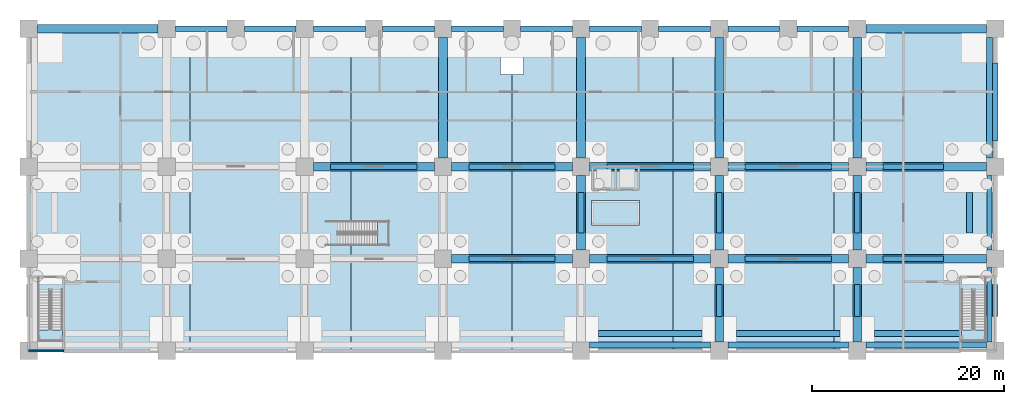
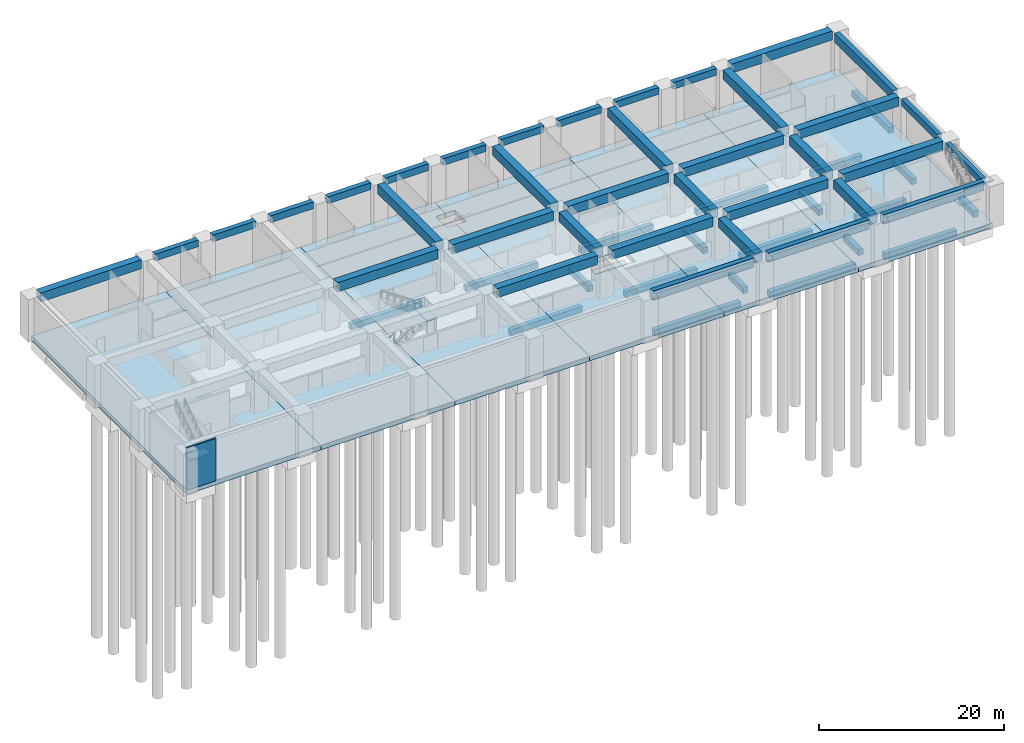
# One storey, part 2 of 13: 56 beams, 10 slabs, 1 wall, 3 elements without a shape of their own.
"""IFC4 building model written with IfcOpenShell, lengths in metres."""

import ifcopenshell
import ifcopenshell.guid

model = None  # the IFC model being written
_history = None  # IfcOwnerHistory: only IFC2X3 demands one
_inside = {}  # id of a spatial element -> (the spatial element, [elements in it])
_under = {}  # id of a project, library or spatial element -> (it, [spatial elements below it])
_declared = {}  # id of a project -> (the project, [libraries it declares])
_typed = {}  # id of a type object -> (the type object, [elements of that type])
_made_of = {}  # id of a material, layer set ... -> (it, [elements and type objects made of it])


def new_model(schema):
    """Start an empty IFC model of exactly this schema.

    Asked for "IFC4X3", IfcOpenShell would pick the latest addendum, in which some entities
    have other attributes; the version numbers below select the first issue.
    IFC2X3 requires an IfcOwnerHistory on every rooted entity: one is made here for all.
    """
    global model, _history
    if schema == "IFC4X3":
        model = ifcopenshell.file(schema_version=(4, 3, 0, 0))
    else:
        model = ifcopenshell.file(schema=schema)
    _inside.clear()
    _under.clear()
    _declared.clear()
    _typed.clear()
    _made_of.clear()
    _history = None
    if model.schema == "IFC2X3":
        org = make("IfcOrganization", Name="unknown")
        user = make(
            "IfcPersonAndOrganization",
            ThePerson=make("IfcPerson", FamilyName="unknown"),
            TheOrganization=org,
        )
        app = make(
            "IfcApplication",
            ApplicationDeveloper=org,
            Version="unknown",
            ApplicationFullName="unknown",
            ApplicationIdentifier="unknown",
        )
        _history = make(
            "IfcOwnerHistory",
            OwningUser=user,
            OwningApplication=app,
            ChangeAction="ADDED",
            CreationDate=0,
        )
    return model


def make(cls, **values):
    """One entity of the class cls with the attributes given. An attribute that is None is left unset."""
    return model.create_entity(
        cls, **{name: value for name, value in values.items() if value is not None}
    )


def rooted(cls, **values):
    """An entity with a GlobalId (a new one), such as an element, a storey or a relation."""
    return make(cls, GlobalId=ifcopenshell.guid.new(), OwnerHistory=_history, **values)


def si_unit(unit_type, name, prefix=None):
    """IfcSIUnit, for example si_unit("LENGTHUNIT", "METRE", prefix="MILLI")."""
    return make("IfcSIUnit", UnitType=unit_type, Prefix=prefix, Name=name)


def assignment(units):
    """IfcUnitAssignment: the units of a project."""
    return None if units is None else make("IfcUnitAssignment", Units=units)


def point(xyz):
    """IfcCartesianPoint."""
    return None if xyz is None else make("IfcCartesianPoint", Coordinates=xyz)


def direction(xyz):
    """IfcDirection."""
    return None if xyz is None else make("IfcDirection", DirectionRatios=xyz)


def frame(location, z_axis=None, x_axis=None):
    """IfcAxis2Placement3D, a coordinate frame: its origin and axes. An axis left out is left unset."""
    return make(
        "IfcAxis2Placement3D",
        Location=point(location),
        Axis=direction(z_axis),
        RefDirection=direction(x_axis),
    )


def frame_2d(location, x_axis=None):
    """IfcAxis2Placement2D, a coordinate frame in the plane: its origin and x axis."""
    return make(
        "IfcAxis2Placement2D", Location=point(location), RefDirection=direction(x_axis)
    )


def origin():
    """The frame at (0, 0, 0) with its axes left unset."""
    return frame((0.0, 0.0, 0.0))


def origin_with_axes():
    """The frame at (0, 0, 0) with the z axis (0, 0, 1) and the x axis (1, 0, 0) written out."""
    return frame((0.0, 0.0, 0.0), z_axis=(0.0, 0.0, 1.0), x_axis=(1.0, 0.0, 0.0))


def origin_2d():
    """The frame at (0, 0) in the plane with its x axis left unset."""
    return frame_2d((0.0, 0.0))


def place(relative_to, where):
    """IfcLocalPlacement: puts the frame where relative to a parent placement (None: the world)."""
    return make(
        "IfcLocalPlacement", PlacementRelTo=relative_to, RelativePlacement=where
    )


def context(
    kind, dimensions, precision=None, world=None, true_north=None, identifier=None
):
    """IfcGeometricRepresentationContext, for example the 3D "Model" context."""
    return make(
        "IfcGeometricRepresentationContext",
        ContextIdentifier=identifier,
        ContextType=kind,
        CoordinateSpaceDimension=dimensions,
        Precision=precision,
        WorldCoordinateSystem=world,
        TrueNorth=true_north,
    )


def subcontext(parent, identifier, kind, view, scale=None):
    """IfcGeometricRepresentationSubContext, for example "Body" below "Model"."""
    return make(
        "IfcGeometricRepresentationSubContext",
        ContextIdentifier=identifier,
        ContextType=kind,
        ParentContext=parent,
        TargetScale=scale,
        TargetView=view,
    )


def project(units=None, contexts=None):
    """IfcProject with its units and contexts."""
    return rooted(
        "IfcProject",
        Name="project",
        RepresentationContexts=contexts,
        UnitsInContext=assignment(units),
    )


def spatial(cls, under=None, at=None, **own):
    """A site, building, storey or space (cls), placed at a placement, below another one or the project."""
    s = rooted(cls, ObjectPlacement=at, **own)
    if under is not None:
        _under.setdefault(under.id(), (under, []))[1].append(s)
    return s


def polyline(points):
    """IfcPolyline through the points."""
    return make("IfcPolyline", Points=[point(p) for p in points])


def profile(cls, at=None, kind="AREA", **sizes):
    """A parametric profile (cls). Its sizes go by their IFC names, for example OverallWidth=200.0."""
    return make(cls, ProfileType=kind, Position=at, **sizes)


def rectangle(**sizes):
    """IfcRectangleProfileDef."""
    return profile("IfcRectangleProfileDef", **sizes)


def outline(outer, holes=None, kind="AREA"):
    """IfcArbitraryClosedProfileDef: a profile drawn as a closed curve; with holes, ...WithVoids."""
    if holes is None:
        return make("IfcArbitraryClosedProfileDef", ProfileType=kind, OuterCurve=outer)
    return make(
        "IfcArbitraryProfileDefWithVoids",
        ProfileType=kind,
        OuterCurve=outer,
        InnerCurves=holes,
    )


def extrude(swept, where, along, depth):
    """IfcExtrudedAreaSolid: the profile swept, set in the frame where, extruded along a direction by depth."""
    return make(
        "IfcExtrudedAreaSolid",
        SweptArea=swept,
        Position=where,
        ExtrudedDirection=direction(along),
        Depth=depth,
    )


def shape(context_of_items, identifier, shape_type, items):
    """IfcShapeRepresentation: the items that make up one representation, for example the "Body"."""
    return make(
        "IfcShapeRepresentation",
        ContextOfItems=context_of_items,
        RepresentationIdentifier=identifier,
        RepresentationType=shape_type,
        Items=items,
    )


def source(mapping_origin, context_of_items, identifier, shape_type, items):
    """IfcRepresentationMap: a shape defined once, which mapped items show again and again."""
    return make(
        "IfcRepresentationMap",
        MappingOrigin=mapping_origin,
        MappedRepresentation=shape(context_of_items, identifier, shape_type, items),
    )


def transform(
    local_origin,
    x_axis=None,
    y_axis=None,
    z_axis=None,
    scale=None,
    scale2=None,
    scale3=None,
    uniform=True,
):
    """IfcCartesianTransformationOperator3D, or its non-uniform kind. x_axis, y_axis, z_axis: its Axis1, 2, 3."""
    if uniform:
        return make(
            "IfcCartesianTransformationOperator3D",
            Axis1=direction(x_axis),
            Axis2=direction(y_axis),
            LocalOrigin=point(local_origin),
            Scale=scale,
            Axis3=direction(z_axis),
        )
    return make(
        "IfcCartesianTransformationOperator3DnonUniform",
        Axis1=direction(x_axis),
        Axis2=direction(y_axis),
        LocalOrigin=point(local_origin),
        Scale=scale,
        Axis3=direction(z_axis),
        Scale2=scale2,
        Scale3=scale3,
    )


def mapped(mapping_source, mapping_target):
    """IfcMappedItem: shows the shape of a source again, moved by a transform."""
    return make(
        "IfcMappedItem", MappingSource=mapping_source, MappingTarget=mapping_target
    )


def material(Name=None, Category=None):
    """IfcMaterial."""
    return make("IfcMaterial", Name=Name, Category=Category)


def layer(
    of_material, thickness, ventilated=None, Name=None, Category=None, Priority=None
):
    """IfcMaterialLayer: one layer of a wall or slab, of a material (None: an air gap)."""
    return make(
        "IfcMaterialLayer",
        Material=of_material,
        LayerThickness=thickness,
        IsVentilated=ventilated,
        Name=Name,
        Category=Category,
        Priority=Priority,
    )


def layer_set(layers, Name=None):
    """IfcMaterialLayerSet."""
    return make("IfcMaterialLayerSet", MaterialLayers=layers, LayerSetName=Name)


def material_profile(
    of_material, cross_section, Name=None, Category=None, Priority=None
):
    """IfcMaterialProfile: a cross section and its material."""
    return make(
        "IfcMaterialProfile",
        Name=Name,
        Material=of_material,
        Profile=cross_section,
        Priority=Priority,
        Category=Category,
    )


def profile_set(profiles, Name=None, composite=None):
    """IfcMaterialProfileSet."""
    return make(
        "IfcMaterialProfileSet",
        Name=Name,
        MaterialProfiles=profiles,
        CompositeProfile=composite,
    )


def made_of(thing, what):
    """Note that an element or type object is made of a material, layer set ...; save() writes the relation."""
    if what is not None:
        _made_of.setdefault(what.id(), (what, []))[1].append(thing)
    return thing


def type_object(cls, material=None, **own):
    """A type object (cls), such as IfcWallType, which elements share."""
    return made_of(rooted(cls, **own), material)


def element(
    cls,
    number,
    at=None,
    inside=None,
    cuts=None,
    type_object=None,
    material=None,
    context=None,
    identifier="Body",
    shape_type=None,
    held_by="IfcProductDefinitionShape",
    body=None,
    shapes=None,
    **own,
):
    """One element of the class cls, such as IfcWall. Its Tag is "e" and its number.

    at: its placement. inside: the storey or other place that contains it. cuts: it is an
    opening in that element (IfcRelVoidsElement). A single representation is given by context,
    identifier, shape_type and body (its items); several are given by shapes. held_by: the class
    of the entity that holds the representations. save() writes the other relations.
    """
    e = rooted(cls, Tag="e%d" % number, ObjectPlacement=at, **own)
    if body is not None:
        shapes = [shape(context, identifier, shape_type, body)]
    if shapes is not None:
        e.Representation = make(held_by, Representations=shapes)
    if inside is not None:
        _inside.setdefault(inside.id(), (inside, []))[1].append(e)
    if cuts is not None:
        rooted(
            "IfcRelVoidsElement", RelatingBuildingElement=cuts, RelatedOpeningElement=e
        )
    if type_object is not None:
        _typed.setdefault(type_object.id(), (type_object, []))[1].append(e)
    return made_of(e, material)


def aggregate(whole, parts):
    """IfcRelAggregates: a whole, such as a stair, and the parts it consists of."""
    return rooted("IfcRelAggregates", RelatingObject=whole, RelatedObjects=parts)


def save(model, path):
    """Write the relations noted so far, then the file.

    IfcRelAggregates (storeys below a building ...), IfcRelContainedInSpatialStructure (elements
    in a storey), IfcRelDefinesByType, IfcRelAssociatesMaterial and IfcRelDeclares: one each for
    every whole, place, type object, material and project.
    """
    for whole, parts in _under.values():
        aggregate(whole, parts)
    for where, things in _inside.values():
        rooted(
            "IfcRelContainedInSpatialStructure",
            RelatedElements=things,
            RelatingStructure=where,
        )
    for kind, things in _typed.values():
        rooted("IfcRelDefinesByType", RelatedObjects=things, RelatingType=kind)
    for what, things in _made_of.values():
        rooted("IfcRelAssociatesMaterial", RelatedObjects=things, RelatingMaterial=what)
    for by, libraries in _declared.values():
        rooted("IfcRelDeclares", RelatingContext=by, RelatedDefinitions=libraries)
    model.write(path)


model = new_model("IFC4")

# Units and contexts
model_context = context("Model", 3, precision=1e-05, world=origin(), true_north=direction((0.0, 1.0)))
body_context = subcontext(model_context, "Body", "Model", "MODEL_VIEW")
ifc_project = project(units=[si_unit("LENGTHUNIT", "METRE"), si_unit("AREAUNIT", "SQUARE_METRE"), si_unit("VOLUMEUNIT", "CUBIC_METRE"), si_unit("PLANEANGLEUNIT", "RADIAN"), si_unit("MASSUNIT", "GRAM", prefix="KILO")], contexts=[model_context])

# Site, building, storey
site_placement = place(None, origin())
site = spatial("IfcSite", under=ifc_project, at=site_placement, CompositionType="ELEMENT")
building_placement = place(site_placement, origin())
building = spatial("IfcBuilding", under=site, at=building_placement, Name="Saffron Iwan Residences", CompositionType="ELEMENT")
storey_placement = place(building_placement, frame((0.0, 0.0, -11.39990234375)))
storey = spatial("IfcBuildingStorey", under=building, at=storey_placement, Name="B2", CompositionType="ELEMENT", Elevation=-11.39990234375)

# Beams
ifc_material_1 = material(Name="Concrete C50/60", Category="concrete")
ifc_material_profile_1 = material_profile(ifc_material_1, rectangle(XDim=0.5, YDim=0.89990234375, at=origin_2d()), Name="RC 500x900")
ifc_profile_set_1 = profile_set([ifc_material_profile_1], Name="Concrete C50/60")
beam_type_1 = type_object("IfcBeamType", Name="SPANDREL BEAM RC 500x900 C50/60 TOP 5600", PredefinedType="SPANDREL", material=ifc_profile_set_1)
shared_shape_1 = source(origin(), body_context, "Body", "SweptSolid", [
    extrude(rectangle(XDim=0.5, YDim=0.89990234375, at=origin_2d()), origin(), (0.0, 0.0, 1.0), 7.800048828125),
])
for number, where, z_axis, x_axis, name in (
    (1, (100.199951171875, 8.699951171875, 5.14990234375), (0.0, -1.0, 0.0), (1.0, 0.0, 0.0), "Spandrel beam"),
    (2, (100.199951171875, 18.300048828125, 5.14990234375), (0.0, -1.0, 0.0), (1.0, 0.0, 0.0), "Spandrel beam"),
):
    element("IfcBeam", number, at=place(storey_placement, frame(where, z_axis=z_axis, x_axis=x_axis)), inside=storey, type_object=beam_type_1, Name=name, PredefinedType="SPANDREL", context=body_context, shape_type="MappedRepresentation", body=[
        mapped(shared_shape_1, transform((0.0, 0.0, 0.0))),
    ])
ifc_material_profile_2 = material_profile(ifc_material_1, rectangle(XDim=0.60009765625, YDim=1.199951171875, at=origin_2d()), Name="RC 600x1200")
ifc_profile_set_2 = profile_set([ifc_material_profile_2], Name="Concrete C50/60")
beam_type_2 = type_object("IfcBeamType", Name="LINTEL BEAM RC 600x1200 C50/60 TOP 5600", PredefinedType="LINTEL", material=ifc_profile_set_2)
shared_shape_2 = source(origin(), body_context, "Body", "SweptSolid", [
    extrude(rectangle(XDim=0.60009765625, YDim=1.199951171875, at=origin_2d()), origin(), (0.0, 0.0, 1.0), 12.60009765625),
])
for number, where, z_axis, x_axis, name in (
    (3, (71.10009765625, 0.60009765625, 5.0), (-1.0, 0.0, 0.0), (0.0, -1.0, 0.0), "Lintel beam over the iwan"),
    (4, (85.5, 0.60009765625, 5.0), (-1.0, 0.0, 0.0), (0.0, -1.0, 0.0), "Lintel beam over the iwan"),
):
    element("IfcBeam", number, at=place(storey_placement, frame(where, z_axis=z_axis, x_axis=x_axis)), inside=storey, type_object=beam_type_2, Name=name, PredefinedType="LINTEL", context=body_context, shape_type="MappedRepresentation", body=[
        mapped(shared_shape_2, transform((0.0, 0.0, 0.0))),
    ])
shared_shape_3 = source(origin(), body_context, "Body", "SweptSolid", [
    extrude(rectangle(XDim=0.60009765625, YDim=1.199951171875, at=origin_2d()), origin(), (0.0, 0.0, 1.0), 12.599853515625),
])
for number, where, z_axis, x_axis, name in (
    (5, (99.89990234375, 0.60009765625, 5.0), (-1.0, 0.0, 0.0), (0.0, -1.0, 0.0), "Lintel beam over the iwan"),
    (6, (100.199951171875, 32.699951171875, 5.0), (0.0, -1.0, 0.0), (1.0, 0.0, 0.0), "Lintel beam over the iwan"),
):
    element("IfcBeam", number, at=place(storey_placement, frame(where, z_axis=z_axis, x_axis=x_axis)), inside=storey, type_object=beam_type_2, Name=name, PredefinedType="LINTEL", context=body_context, shape_type="MappedRepresentation", body=[
        mapped(shared_shape_3, transform((0.0, 0.0, 0.0))),
    ])
ifc_material_profile_3 = material_profile(ifc_material_1, rectangle(XDim=0.89990234375, YDim=1.199951171875, at=origin_2d()), Name="RC 900x1200")
ifc_profile_set_3 = profile_set([ifc_material_profile_3], Name="Concrete C50/60")
beam_type_3 = type_object("IfcBeamType", Name="BEAM RC 900x1200 C50/60 TOP 5600", PredefinedType="BEAM", material=ifc_profile_set_3)
shared_shape_4 = source(origin(), body_context, "Body", "SweptSolid", [
    extrude(rectangle(XDim=0.89990234375, YDim=1.199951171875, at=origin_2d()), origin(), (0.0, 0.0, 1.0), 7.800048828125),
])
for number, where, z_axis, x_axis, name in (
    (7, (72.0, 0.89990234375, 5.0), (0.0, 1.0, 0.0), (-1.0, 0.0, 0.0), "Floor beam"),
    (8, (86.39990234375, 0.89990234375, 5.0), (0.0, 1.0, 0.0), (-1.0, 0.0, 0.0), "Floor beam"),
    (9, (57.60009765625, 10.5, 5.0), (0.0, 1.0, 0.0), (-1.0, 0.0, 0.0), "Floor beam"),
    (10, (72.0, 10.5, 5.0), (0.0, 1.0, 0.0), (-1.0, 0.0, 0.0), "Floor beam"),
    (11, (86.39990234375, 10.5, 5.0), (0.0, 1.0, 0.0), (-1.0, 0.0, 0.0), "Floor beam"),
):
    element("IfcBeam", number, at=place(storey_placement, frame(where, z_axis=z_axis, x_axis=x_axis)), inside=storey, type_object=beam_type_3, Name=name, PredefinedType="BEAM", context=body_context, shape_type="MappedRepresentation", body=[
        mapped(shared_shape_4, transform((0.0, 0.0, 0.0))),
    ])
shared_shape_5 = source(origin(), body_context, "Body", "SweptSolid", [
    extrude(rectangle(XDim=0.89990234375, YDim=1.199951171875, at=origin_2d()), origin(), (0.0, 0.0, 1.0), 12.60009765625),
])
for number, where, z_axis, x_axis, name in (
    (12, (58.5, 9.60009765625, 5.0), (1.0, 0.0, 0.0), (0.0, 1.0, 0.0), "Floor beam"),
    (13, (72.89990234375, 9.60009765625, 5.0), (1.0, 0.0, 0.0), (0.0, 1.0, 0.0), "Floor beam"),
    (14, (29.699951171875, 19.199951171875, 5.0), (1.0, 0.0, 0.0), (0.0, 1.0, 0.0), "Floor beam"),
    (15, (58.5, 19.199951171875, 5.0), (1.0, 0.0, 0.0), (0.0, 1.0, 0.0), "Floor beam"),
    (16, (72.89990234375, 19.199951171875, 5.0), (1.0, 0.0, 0.0), (0.0, 1.0, 0.0), "Floor beam"),
    (17, (0.89990234375, 33.60009765625, 5.0), (1.0, 0.0, 0.0), (0.0, 1.0, 0.0), "Floor beam"),
):
    element("IfcBeam", number, at=place(storey_placement, frame(where, z_axis=z_axis, x_axis=x_axis)), inside=storey, type_object=beam_type_3, Name=name, PredefinedType="BEAM", context=body_context, shape_type="MappedRepresentation", body=[
        mapped(shared_shape_5, transform((0.0, 0.0, 0.0))),
    ])
shared_shape_6 = source(origin(), body_context, "Body", "SweptSolid", [
    extrude(rectangle(XDim=0.89990234375, YDim=1.199951171875, at=origin_2d()), origin(), (0.0, 0.0, 1.0), 12.599853515625),
])
for number, where, z_axis, x_axis, name in (
    (18, (44.10009765625, 9.60009765625, 5.0), (1.0, 0.0, 0.0), (0.0, 1.0, 0.0), "Floor beam"),
    (19, (87.300048828125, 9.60009765625, 5.0), (1.0, 0.0, 0.0), (0.0, 1.0, 0.0), "Floor beam"),
    (20, (44.10009765625, 19.199951171875, 5.0), (1.0, 0.0, 0.0), (0.0, 1.0, 0.0), "Floor beam"),
    (21, (87.300048828125, 19.199951171875, 5.0), (1.0, 0.0, 0.0), (0.0, 1.0, 0.0), "Floor beam"),
    (22, (43.199951171875, 20.10009765625, 5.0), (0.0, 1.0, 0.0), (-1.0, 0.0, 0.0), "Floor beam"),
    (23, (57.60009765625, 20.10009765625, 5.0), (0.0, 1.0, 0.0), (-1.0, 0.0, 0.0), "Floor beam"),
    (24, (72.0, 20.10009765625, 5.0), (0.0, 1.0, 0.0), (-1.0, 0.0, 0.0), "Floor beam"),
    (25, (86.39990234375, 20.10009765625, 5.0), (0.0, 1.0, 0.0), (-1.0, 0.0, 0.0), "Floor beam"),
    (26, (87.300048828125, 33.60009765625, 5.0), (1.0, 0.0, 0.0), (0.0, 1.0, 0.0), "Floor beam"),
):
    element("IfcBeam", number, at=place(storey_placement, frame(where, z_axis=z_axis, x_axis=x_axis)), inside=storey, type_object=beam_type_3, Name=name, PredefinedType="BEAM", context=body_context, shape_type="MappedRepresentation", body=[
        mapped(shared_shape_6, transform((0.0, 0.0, 0.0))),
    ])
ifc_material_profile_4 = material_profile(ifc_material_1, rectangle(XDim=0.60009765625, YDim=0.89990234375, at=origin_2d()), Name="RC 600x900")
ifc_profile_set_4 = profile_set([ifc_material_profile_4], Name="Concrete C50/60")
beam_type_4 = type_object("IfcBeamType", Name="BEAM RC 600x900 C50/60 TOP 5600", PredefinedType="BEAM", material=ifc_profile_set_4)
shared_shape_7 = source(origin(), body_context, "Body", "SweptSolid", [
    extrude(rectangle(XDim=0.60009765625, YDim=0.89990234375, at=origin_2d()), origin(), (0.0, 0.0, 1.0), 5.39990234375),
])
for number, where, z_axis, x_axis, name in (
    (27, (15.300048828125, 33.60009765625, 5.14990234375), (1.0, 0.0, 0.0), (0.0, 1.0, 0.0), "Floor beam"),
    (28, (22.5, 33.60009765625, 5.14990234375), (1.0, 0.0, 0.0), (0.0, 1.0, 0.0), "Floor beam"),
    (29, (44.10009765625, 33.60009765625, 5.14990234375), (1.0, 0.0, 0.0), (0.0, 1.0, 0.0), "Floor beam"),
    (30, (51.300048828125, 33.60009765625, 5.14990234375), (1.0, 0.0, 0.0), (0.0, 1.0, 0.0), "Floor beam"),
    (31, (58.5, 33.60009765625, 5.14990234375), (1.0, 0.0, 0.0), (0.0, 1.0, 0.0), "Floor beam"),
    (32, (80.10009765625, 33.60009765625, 5.14990234375), (1.0, 0.0, 0.0), (0.0, 1.0, 0.0), "Floor beam"),
):
    element("IfcBeam", number, at=place(storey_placement, frame(where, z_axis=z_axis, x_axis=x_axis)), inside=storey, type_object=beam_type_4, Name=name, PredefinedType="BEAM", context=body_context, shape_type="MappedRepresentation", body=[
        mapped(shared_shape_7, transform((0.0, 0.0, 0.0))),
    ])
shared_shape_8 = source(origin(), body_context, "Body", "SweptSolid", [
    extrude(rectangle(XDim=0.60009765625, YDim=0.89990234375, at=origin_2d()), origin(), (0.0, 0.0, 1.0), 5.400146484375),
])
for number, where, z_axis, x_axis, name in (
    (33, (29.699951171875, 33.60009765625, 5.14990234375), (1.0, 0.0, 0.0), (0.0, 1.0, 0.0), "Floor beam"),
    (34, (36.89990234375, 33.60009765625, 5.14990234375), (1.0, 0.0, 0.0), (0.0, 1.0, 0.0), "Floor beam"),
    (35, (65.699951171875, 33.60009765625, 5.14990234375), (1.0, 0.0, 0.0), (0.0, 1.0, 0.0), "Floor beam"),
    (36, (72.89990234375, 33.60009765625, 5.14990234375), (1.0, 0.0, 0.0), (0.0, 1.0, 0.0), "Floor beam"),
):
    element("IfcBeam", number, at=place(storey_placement, frame(where, z_axis=z_axis, x_axis=x_axis)), inside=storey, type_object=beam_type_4, Name=name, PredefinedType="BEAM", context=body_context, shape_type="MappedRepresentation", body=[
        mapped(shared_shape_8, transform((0.0, 0.0, 0.0))),
    ])
ifc_material_2 = material(Name="Concrete C40/50", Category="concrete")
ifc_material_profile_5 = material_profile(ifc_material_2, rectangle(XDim=0.60009765625, YDim=0.800048828125, at=origin_2d()), Name="RC 600x800")
ifc_profile_set_5 = profile_set([ifc_material_profile_5], Name="Concrete C40/50")
beam_type_5 = type_object("IfcBeamType", Name="GROUND BEAM RC 600x800 C40/50 TOP -600", PredefinedType="BEAM", material=ifc_profile_set_5)
shared_shape_9 = source(origin(), body_context, "Body", "SweptSolid", [
    extrude(rectangle(XDim=0.60009765625, YDim=0.800048828125, at=origin_2d()), origin(), (0.0, 0.0, 1.0), 9.0),
])
for number, where, z_axis, x_axis, name in (
    (37, (31.5, 19.199951171875, -1.0), (1.0, 0.0, 0.0), (0.0, 1.0, 0.0), "Ground beam"),
    (38, (45.89990234375, 9.60009765625, -1.0), (1.0, 0.0, 0.0), (0.0, 1.0, 0.0), "Ground beam"),
    (39, (45.89990234375, 19.199951171875, -1.0), (1.0, 0.0, 0.0), (0.0, 1.0, 0.0), "Ground beam"),
    (40, (60.300048828125, 9.60009765625, -1.0), (1.0, 0.0, 0.0), (0.0, 1.0, 0.0), "Ground beam"),
    (41, (60.300048828125, 19.199951171875, -1.0), (1.0, 0.0, 0.0), (0.0, 1.0, 0.0), "Ground beam"),
    (42, (74.699951171875, 9.60009765625, -1.0), (1.0, 0.0, 0.0), (0.0, 1.0, 0.0), "Ground beam"),
    (43, (74.699951171875, 19.199951171875, -1.0), (1.0, 0.0, 0.0), (0.0, 1.0, 0.0), "Ground beam"),
    (44, (88.199951171875, 1.800048828125, -1.0), (1.0, 0.0, 0.0), (0.0, 1.0, 0.0), "Ground beam"),
):
    element("IfcBeam", number, at=place(storey_placement, frame(where, z_axis=z_axis, x_axis=x_axis)), inside=storey, type_object=beam_type_5, Name=name, PredefinedType="BEAM", context=body_context, shape_type="MappedRepresentation", body=[
        mapped(shared_shape_9, transform((0.0, 0.0, 0.0))),
    ])
shared_shape_10 = source(origin(), body_context, "Body", "SweptSolid", [
    extrude(rectangle(XDim=0.60009765625, YDim=0.800048828125, at=origin_2d()), origin(), (0.0, 0.0, 1.0), 3.2998046875),
])
for number, where, z_axis, x_axis, name in (
    (45, (72.0, 3.60009765625, -1.0), (0.0, 1.0, 0.0), (-1.0, 0.0, 0.0), "Ground beam"),
    (46, (86.39990234375, 3.60009765625, -1.0), (0.0, 1.0, 0.0), (-1.0, 0.0, 0.0), "Ground beam"),
    (47, (100.800048828125, 3.60009765625, -1.0), (0.0, 1.0, 0.0), (-1.0, 0.0, 0.0), "Ground beam"),
):
    element("IfcBeam", number, at=place(storey_placement, frame(where, z_axis=z_axis, x_axis=x_axis)), inside=storey, type_object=beam_type_5, Name=name, PredefinedType="BEAM", context=body_context, shape_type="MappedRepresentation", body=[
        mapped(shared_shape_10, transform((0.0, 0.0, 0.0))),
    ])
shared_shape_11 = source(origin(), body_context, "Body", "SweptSolid", [
    extrude(rectangle(XDim=0.60009765625, YDim=0.800048828125, at=origin_2d()), origin(), (0.0, 0.0, 1.0), 4.199951171875),
])
for number, where, z_axis, x_axis, name in (
    (48, (57.60009765625, 12.300048828125, -1.0), (0.0, 1.0, 0.0), (-1.0, 0.0, 0.0), "Ground beam"),
    (49, (72.0, 12.300048828125, -1.0), (0.0, 1.0, 0.0), (-1.0, 0.0, 0.0), "Ground beam"),
    (50, (86.39990234375, 12.300048828125, -1.0), (0.0, 1.0, 0.0), (-1.0, 0.0, 0.0), "Ground beam"),
    (51, (98.10009765625, 12.300048828125, -1.0), (0.0, 1.0, 0.0), (-1.0, 0.0, 0.0), "Ground beam"),
):
    element("IfcBeam", number, at=place(storey_placement, frame(where, z_axis=z_axis, x_axis=x_axis)), inside=storey, type_object=beam_type_5, Name=name, PredefinedType="BEAM", context=body_context, shape_type="MappedRepresentation", body=[
        mapped(shared_shape_11, transform((0.0, 0.0, 0.0))),
    ])
shared_shape_12 = source(origin(), body_context, "Body", "SweptSolid", [
    extrude(rectangle(XDim=0.60009765625, YDim=0.800048828125, at=origin_2d()), origin(), (0.0, 0.0, 1.0), 8.10009765625),
])
beam_placement = place(storey_placement, frame((100.800048828125, 21.89990234375, -1.0), z_axis=(0.0, 1.0, 0.0), x_axis=(-1.0, 0.0, 0.0)))
element("IfcBeam", 52, at=beam_placement, inside=storey, type_object=beam_type_5, Name="Ground beam", PredefinedType="BEAM", context=body_context, shape_type="MappedRepresentation", body=[
    mapped(shared_shape_12, transform((0.0, 0.0, 0.0))),
])
shared_shape_13 = source(origin(), body_context, "Body", "SweptSolid", [
    extrude(rectangle(XDim=0.60009765625, YDim=0.800048828125, at=origin_2d()), origin(), (0.0, 0.0, 1.0), 10.800048828125),
])
for number, where, z_axis, x_axis, name in (
    (53, (59.39990234375, 1.800048828125, -1.0), (1.0, 0.0, 0.0), (0.0, 1.0, 0.0), "Ground beam"),
    (54, (73.800048828125, 1.800048828125, -1.0), (1.0, 0.0, 0.0), (0.0, 1.0, 0.0), "Ground beam"),
):
    element("IfcBeam", number, at=place(storey_placement, frame(where, z_axis=z_axis, x_axis=x_axis)), inside=storey, type_object=beam_type_5, Name=name, PredefinedType="BEAM", context=body_context, shape_type="MappedRepresentation", body=[
        mapped(shared_shape_13, transform((0.0, 0.0, 0.0))),
    ])
shared_shape_14 = source(origin(), body_context, "Body", "SweptSolid", [
    extrude(rectangle(XDim=0.60009765625, YDim=0.800048828125, at=origin_2d()), origin(), (0.0, 0.0, 1.0), 6.2998046875),
])
for number, where, z_axis, x_axis, name in (
    (55, (89.10009765625, 9.60009765625, -1.0), (1.0, 0.0, 0.0), (0.0, 1.0, 0.0), "Ground beam"),
    (56, (89.10009765625, 19.199951171875, -1.0), (1.0, 0.0, 0.0), (0.0, 1.0, 0.0), "Ground beam"),
):
    element("IfcBeam", number, at=place(storey_placement, frame(where, z_axis=z_axis, x_axis=x_axis)), inside=storey, type_object=beam_type_5, Name=name, PredefinedType="BEAM", context=body_context, shape_type="MappedRepresentation", body=[
        mapped(shared_shape_14, transform((0.0, 0.0, 0.0))),
    ])

# Slab
ifc_layer_1 = layer(ifc_material_2, 0.39990234375)
ifc_layer_set_1 = layer_set([ifc_layer_1], Name="Concrete C40/50")
slab_type_1 = type_object("IfcSlabType", Name="PIT SLAB 400 C40/50", PredefinedType="BASESLAB", material=ifc_layer_set_1)
slab_1_placement = place(storey_placement, frame((0.0, 0.0, -1.80029296875)))
element("IfcSlab", 57, at=slab_1_placement, inside=storey, type_object=slab_type_1, Name="Lift pit slab", PredefinedType="BASESLAB", context=body_context, shape_type="SweptSolid", body=[
    extrude(outline(polyline([(58.699951171875, 13.10009765625), (63.699951171875, 13.10009765625), (63.699951171875, 15.699951171875), (58.699951171875, 15.699951171875), (58.699951171875, 13.10009765625)])), origin(), (0.0, 0.0, 1.0), 0.400146484375),
])

# Stair, slab
stair_type = type_object("IfcStairType", Name="Podium stair, reinforced concrete", PredefinedType="HALF_TURN_STAIR", material=ifc_material_2)
stair_1_placement = place(storey_placement, origin())
stair_1 = element("IfcStair", 58, at=stair_1_placement, inside=storey, type_object=stair_type, Name="B2 Station Escape Stair 1", PredefinedType="HALF_TURN_STAIR")
ifc_layer_2 = layer(ifc_material_2, 0.199951171875)
ifc_layer_set_2 = layer_set([ifc_layer_2], Name="Concrete C40/50")
slab_type_2 = type_object("IfcSlabType", Name="Podium stair landing, reinforced concrete", PredefinedType="LANDING", material=ifc_layer_set_2)
slab_2_placement = place(storey_placement, frame((0.0, 0.0, 2.7998046875)))
slab_2 = element("IfcSlab", 59, at=slab_2_placement, type_object=slab_type_2, Name="SE1 landing 1", PredefinedType="LANDING", context=body_context, shape_type="SweptSolid", body=[
    extrude(outline(polyline([(1.0, 2.199951171875), (1.0, 1.0), (3.550048828125, 1.0), (3.550048828125, 2.199951171875), (1.0, 2.199951171875)])), origin(), (0.0, 0.0, 1.0), 0.2001953125),
])
aggregate(stair_1, [slab_2])

stair_2_placement = place(storey_placement, origin())
stair_2 = element("IfcStair", 60, at=stair_2_placement, inside=storey, type_object=stair_type, Name="B2 Station Escape Stair 2", PredefinedType="HALF_TURN_STAIR")
slab_3_placement = place(storey_placement, frame((0.0, 0.0, 2.7998046875)))
slab_3 = element("IfcSlab", 61, at=slab_3_placement, type_object=slab_type_2, Name="SE2 landing 1", PredefinedType="LANDING", context=body_context, shape_type="SweptSolid", body=[
    extrude(outline(polyline([(97.25, 2.199951171875), (97.25, 1.0), (99.800048828125, 1.0), (99.800048828125, 2.199951171875), (97.25, 2.199951171875)])), origin(), (0.0, 0.0, 1.0), 0.2001953125),
])
aggregate(stair_2, [slab_3])

stair_3_placement = place(storey_placement, origin())
stair_3 = element("IfcStair", 62, at=stair_3_placement, inside=storey, type_object=stair_type, Name="B2 Station Stair 2", PredefinedType="HALF_TURN_STAIR")
slab_4_placement = place(storey_placement, frame((0.0, 0.0, 2.7998046875)))
slab_4 = element("IfcSlab", 63, at=slab_4_placement, type_object=slab_type_2, Name="SP2 landing 1", PredefinedType="LANDING", context=body_context, shape_type="SweptSolid", body=[
    extrude(outline(polyline([(36.39990234375, 11.0), (37.60009765625, 11.0), (37.60009765625, 13.550048828125), (36.39990234375, 13.550048828125), (36.39990234375, 11.0)])), origin(), (0.0, 0.0, 1.0), 0.2001953125),
])
aggregate(stair_3, [slab_4])

# Slabs
ifc_layer_3 = layer(ifc_material_2, 0.60009765625)
ifc_layer_set_3 = layer_set([ifc_layer_3], Name="Concrete C40/50")
slab_type_3 = type_object("IfcSlabType", Name="RAFT SLAB 600 C40/50", PredefinedType="BASESLAB", material=ifc_layer_set_3)
slab_5_placement = place(storey_placement, frame((0.0, 0.0, -0.60009765625)))
element("IfcSlab", 64, at=slab_5_placement, inside=storey, type_object=slab_type_3, Name="Floor slab B2", PredefinedType="BASESLAB", context=body_context, shape_type="SweptSolid", body=[
    extrude(outline(polyline([(0.0, 33.60009765625), (16.800048828125, 33.60009765625), (16.800048828125, 0.0), (0.0, 0.0), (0.0, 33.60009765625)])), origin(), (0.0, 0.0, 1.0), 0.60009765625),
])
slab_6_placement = place(storey_placement, frame((0.0, 0.0, -0.60009765625)))
element("IfcSlab", 65, at=slab_6_placement, inside=storey, type_object=slab_type_3, Name="Floor slab B2", PredefinedType="BASESLAB", context=body_context, shape_type="SweptSolid", body=[
    extrude(outline(polyline([(33.60009765625, 33.60009765625), (33.60009765625, 0.0), (16.800048828125, 0.0), (16.800048828125, 33.60009765625), (33.60009765625, 33.60009765625)])), origin(), (0.0, 0.0, 1.0), 0.60009765625),
])
slab_7_placement = place(storey_placement, frame((0.0, 0.0, -0.60009765625)))
element("IfcSlab", 66, at=slab_7_placement, inside=storey, type_object=slab_type_3, Name="Floor slab B2", PredefinedType="BASESLAB", context=body_context, shape_type="SweptSolid", body=[
    extrude(outline(polyline([(50.39990234375, 33.60009765625), (50.39990234375, 31.199951171875), (49.199951171875, 31.199951171875), (49.199951171875, 28.800048828125), (50.39990234375, 28.800048828125), (50.39990234375, 0.0), (33.60009765625, 0.0), (33.60009765625, 33.60009765625), (50.39990234375, 33.60009765625)])), origin(), (0.0, 0.0, 1.0), 0.60009765625),
])
slab_8_placement = place(storey_placement, frame((0.0, 0.0, -0.60009765625)))
element("IfcSlab", 67, at=slab_8_placement, inside=storey, type_object=slab_type_3, Name="Floor slab B2", PredefinedType="BASESLAB", context=body_context, shape_type="SweptSolid", body=[
    extrude(outline(polyline([(67.199951171875, 33.60009765625), (67.199951171875, 0.0), (50.39990234375, 0.0), (50.39990234375, 28.800048828125), (51.60009765625, 28.800048828125), (51.60009765625, 31.199951171875), (50.39990234375, 31.199951171875), (50.39990234375, 33.60009765625), (67.199951171875, 33.60009765625)]), holes=[polyline([(63.699951171875, 15.699951171875), (58.699951171875, 15.699951171875), (58.699951171875, 13.10009765625), (63.699951171875, 13.10009765625), (63.699951171875, 15.699951171875)])]), origin(), (0.0, 0.0, 1.0), 0.60009765625),
])
slab_9_placement = place(storey_placement, frame((0.0, 0.0, -0.60009765625)))
element("IfcSlab", 68, at=slab_9_placement, inside=storey, type_object=slab_type_3, Name="Floor slab B2", PredefinedType="BASESLAB", context=body_context, shape_type="SweptSolid", body=[
    extrude(outline(polyline([(84.0, 33.60009765625), (84.0, 0.0), (67.199951171875, 0.0), (67.199951171875, 33.60009765625), (84.0, 33.60009765625)])), origin(), (0.0, 0.0, 1.0), 0.60009765625),
])
slab_10_placement = place(storey_placement, frame((0.0, 0.0, -0.60009765625)))
element("IfcSlab", 69, at=slab_10_placement, inside=storey, type_object=slab_type_3, Name="Floor slab B2", PredefinedType="BASESLAB", context=body_context, shape_type="SweptSolid", body=[
    extrude(outline(polyline([(100.800048828125, 33.60009765625), (100.800048828125, 0.0), (84.0, 0.0), (84.0, 33.60009765625), (100.800048828125, 33.60009765625)])), origin(), (0.0, 0.0, 1.0), 0.60009765625),
])

# Wall
ifc_layer_4 = layer(ifc_material_2, 0.199951171875)
ifc_layer_set_4 = layer_set([ifc_layer_4], Name="Concrete C40/50")
wall_type = type_object("IfcWallType", Name="Reinforced concrete stair wall 200", PredefinedType="SOLIDWALL", material=ifc_layer_set_4)
wall_placement = place(storey_placement, origin_with_axes())
element("IfcWall", 70, at=wall_placement, inside=storey, type_object=wall_type, Name="W-B2-002", PredefinedType="SOLIDWALL", context=body_context, shape_type="SweptSolid", body=[
    extrude(rectangle(XDim=3.64990234375, YDim=0.199951171875, at=frame_2d((1.824951171875, 0.0))), origin(), (0.0, 0.0, 1.0), 5.599853515625),
])

save(model, "model.ifc")
